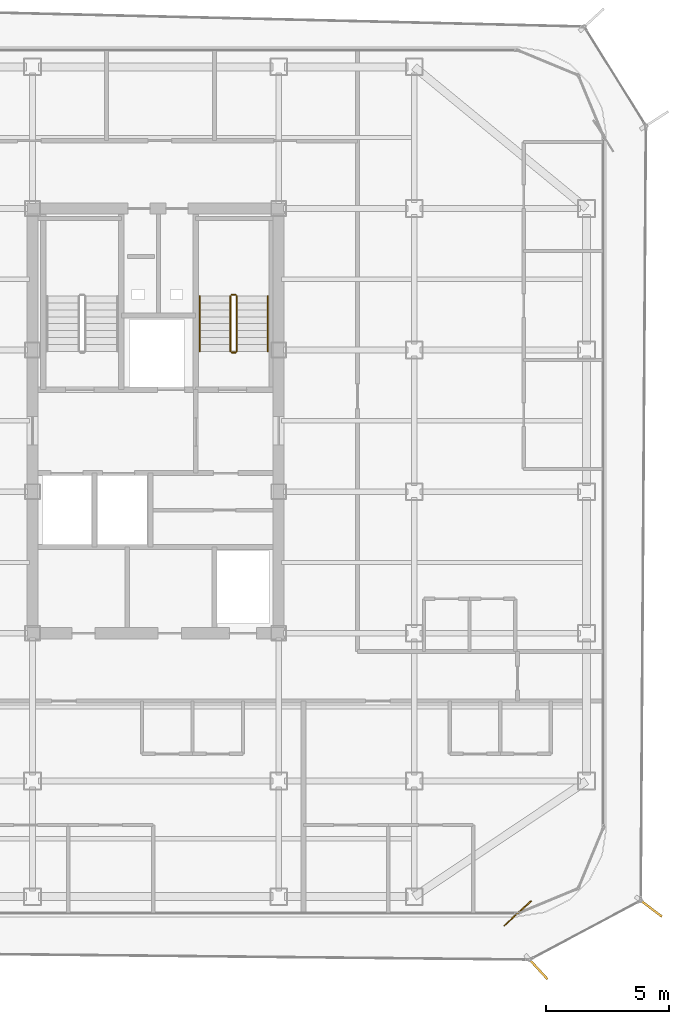
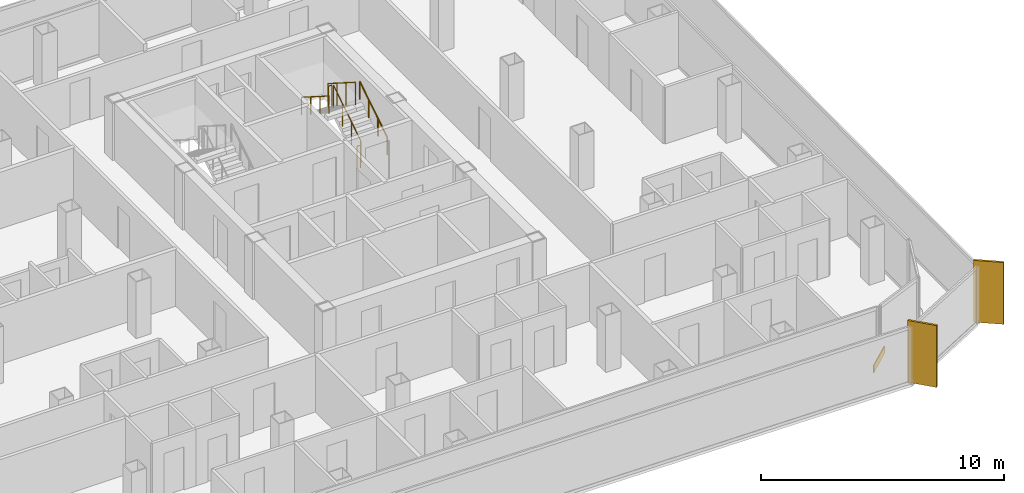
# One storey, part 15 of 16: 6 railings, 2 shading devices, 1 covering.
"""IFC4 building model written with IfcOpenShell, lengths in metres."""

from ifc_helpers import new_model, si_unit, direction, frame, origin, origin_2d, place, context, subcontext, project, spatial, rectangle, circle, extrude, source, transform, mapped, material, layer, layer_set, type_object, element, save


model = new_model("IFC4")

# Units and contexts
model_context = context("Model", 3, precision=1e-05, world=origin(), true_north=direction((0.0, 1.0)))
body_context = subcontext(model_context, "Body", "Model", "MODEL_VIEW")
ifc_project = project(units=[si_unit("LENGTHUNIT", "METRE"), si_unit("AREAUNIT", "SQUARE_METRE"), si_unit("VOLUMEUNIT", "CUBIC_METRE"), si_unit("PLANEANGLEUNIT", "RADIAN"), si_unit("MASSUNIT", "GRAM", prefix="KILO")], contexts=[model_context])

# Site, building, storey
site_placement = place(None, origin())
site = spatial("IfcSite", under=ifc_project, at=site_placement, CompositionType="ELEMENT")
building_placement = place(site_placement, origin())
building = spatial("IfcBuilding", under=site, at=building_placement, Name="Kolveth Station Tower", CompositionType="ELEMENT")
storey_placement = place(building_placement, frame((0.0, 0.0, 212.39990234375)))
storey = spatial("IfcBuildingStorey", under=building, at=storey_placement, Name="L60", CompositionType="ELEMENT", Elevation=212.39990234375)

# Railings
ifc_material_1 = material(Name="Painted Steel S355 balustrade", Category="steel")
railing_type_1 = type_object("IfcRailingType", Name="Guard_GR2", PredefinedType="BALUSTRADE", material=ifc_material_1)
railing_1_placement = place(storey_placement, frame((26.800048828125, 22.949951171875, 0.177978515625)))
element("IfcRailing", 1, at=railing_1_placement, inside=storey, type_object=railing_type_1, Name="L60 ST2 stair guard 1", PredefinedType="BALUSTRADE", context=body_context, shape_type="SweptSolid", body=[
    extrude(circle(Radius=0.02392578125, at=origin_2d()), frame((0.0, 0.0, 1.1259765625), z_axis=(0.0, 0.8442293374, 0.53598211339), x_axis=(-1.0, 0.0, 0.0)), (0.0, 0.0, 1.0), 2.6533203125),
    extrude(circle(Radius=0.02099609375, at=origin_2d()), origin(), (0.0, 0.0, 1.0), 1.101806640625),
    extrude(circle(Radius=0.02099609375, at=origin_2d()), frame((0.0, 0.74658203125, 0.47412109375)), (0.0, 0.0, 1.0), 1.101806640625),
    extrude(circle(Radius=0.02099609375, at=origin_2d()), frame((0.0, 1.493408203125, 0.947998046875)), (0.0, 0.0, 1.0), 1.101806640625),
    extrude(circle(Radius=0.02099609375, at=origin_2d()), frame((0.0, 2.239990234375, 1.422119140625)), (0.0, 0.0, 1.0), 1.101806640625),
])
railing_2_placement = place(storey_placement, frame((26.75, 25.239990234375, 1.60009765625)))
element("IfcRailing", 2, at=railing_2_placement, inside=storey, type_object=railing_type_1, Name="L60 ST2 stair guard 2", PredefinedType="BALUSTRADE", context=body_context, shape_type="SweptSolid", body=[
    extrude(circle(Radius=0.02392578125, at=origin_2d()), frame((0.0, 0.0, 1.1259765625), z_axis=(-1.0, 0.0, 0.0), x_axis=(0.0, -1.0, 0.0)), (0.0, 0.0, 1.0), 0.159912109375),
    extrude(circle(Radius=0.02099609375, at=origin_2d()), origin(), (0.0, 0.0, 1.0), 1.101806640625),
    extrude(circle(Radius=0.02099609375, at=origin_2d()), frame((-0.159912109375, 0.0, 0.0)), (0.0, 0.0, 1.0), 1.101806640625),
])
railing_3_placement = place(storey_placement, frame((26.5400390625, 25.18994140625, 1.77783203125)))
element("IfcRailing", 3, at=railing_3_placement, inside=storey, type_object=railing_type_1, Name="L60 ST2 stair guard 3", PredefinedType="BALUSTRADE", context=body_context, shape_type="SweptSolid", body=[
    extrude(circle(Radius=0.02392578125, at=origin_2d()), frame((0.0, 0.0, 1.1259765625), z_axis=(0.0, -0.84418770128, 0.536047689118), x_axis=(1.0, 0.0, 0.0)), (0.0, 0.0, 1.0), 2.6533203125),
    extrude(circle(Radius=0.02099609375, at=origin_2d()), origin(), (0.0, 0.0, 1.0), 1.101806640625),
    extrude(circle(Radius=0.02099609375, at=origin_2d()), frame((0.0, -0.74658203125, 0.47412109375)), (0.0, 0.0, 1.0), 1.101806640625),
    extrude(circle(Radius=0.02099609375, at=origin_2d()), frame((0.0, -1.493408203125, 0.9482421875)), (0.0, 0.0, 1.0), 1.101806640625),
    extrude(circle(Radius=0.02099609375, at=origin_2d()), frame((0.0, -2.239990234375, 1.42236328125)), (0.0, 0.0, 1.0), 1.101806640625),
])
railing_4_placement = place(storey_placement, frame((26.75, 22.89990234375, 0.0)))
element("IfcRailing", 4, at=railing_4_placement, inside=storey, type_object=railing_type_1, Name="L60 ST2 stair guard 4", PredefinedType="BALUSTRADE", context=body_context, shape_type="SweptSolid", body=[
    extrude(circle(Radius=0.02392578125, at=origin_2d()), frame((0.0, 0.0, 1.1259765625), z_axis=(-1.0, 0.0, 0.0), x_axis=(0.0, -1.0, 0.0)), (0.0, 0.0, 1.0), 0.159912109375),
    extrude(circle(Radius=0.02099609375, at=origin_2d()), origin(), (0.0, 0.0, 1.0), 1.101806640625),
    extrude(circle(Radius=0.02099609375, at=origin_2d()), frame((-0.159912109375, 0.0, 0.0)), (0.0, 0.0, 1.0), 1.101806640625),
])
ifc_material_2 = material(Name="Brushed stainless steel", Category="steel")
railing_type_2 = type_object("IfcRailingType", Name="Handrail_HR1", PredefinedType="HANDRAIL", material=ifc_material_2)
railing_5_placement = place(storey_placement, frame((28.050048828125, 22.949951171875, 0.177978515625)))
element("IfcRailing", 5, at=railing_5_placement, inside=storey, type_object=railing_type_2, Name="L60 ST2 stair handrail 1", PredefinedType="HANDRAIL", context=body_context, shape_type="SweptSolid", body=[
    extrude(circle(Radius=0.02392578125, at=origin_2d()), frame((0.0, 0.0, 0.8759765625), z_axis=(0.0, 0.8442293374, 0.53598211339), x_axis=(-1.0, 0.0, 0.0)), (0.0, 0.0, 1.0), 2.6533203125),
    extrude(circle(Radius=0.02099609375, at=origin_2d()), origin(), (0.0, 0.0, 1.0), 0.851806640625),
    extrude(circle(Radius=0.02099609375, at=origin_2d()), frame((0.0, 0.74658203125, 0.47412109375)), (0.0, 0.0, 1.0), 0.851806640625),
    extrude(circle(Radius=0.02099609375, at=origin_2d()), frame((0.0, 1.493408203125, 0.947998046875)), (0.0, 0.0, 1.0), 0.851806640625),
    extrude(circle(Radius=0.02099609375, at=origin_2d()), frame((0.0, 2.239990234375, 1.422119140625)), (0.0, 0.0, 1.0), 0.851806640625),
])
railing_6_placement = place(storey_placement, frame((25.2900390625, 25.18994140625, 1.77783203125)))
element("IfcRailing", 6, at=railing_6_placement, inside=storey, type_object=railing_type_2, Name="L60 ST2 stair handrail 2", PredefinedType="HANDRAIL", context=body_context, shape_type="SweptSolid", body=[
    extrude(circle(Radius=0.02392578125, at=origin_2d()), frame((0.0, 0.0, 0.8759765625), z_axis=(0.0, -0.84418770128, 0.536047689118), x_axis=(1.0, 0.0, 0.0)), (0.0, 0.0, 1.0), 2.6533203125),
    extrude(circle(Radius=0.02099609375, at=origin_2d()), origin(), (0.0, 0.0, 1.0), 0.851806640625),
    extrude(circle(Radius=0.02099609375, at=origin_2d()), frame((0.0, -0.74658203125, 0.47412109375)), (0.0, 0.0, 1.0), 0.851806640625),
    extrude(circle(Radius=0.02099609375, at=origin_2d()), frame((0.0, -1.493408203125, 0.9482421875)), (0.0, 0.0, 1.0), 0.851806640625),
    extrude(circle(Radius=0.02099609375, at=origin_2d()), frame((0.0, -2.239990234375, 1.42236328125)), (0.0, 0.0, 1.0), 0.851806640625),
])

# Shading devices
ifc_material_3 = material(Name="Black anodized aluminium 6063-T6", Category="aluminium")
shading_device_type = type_object("IfcShadingDeviceType", Name="FIN_VF1", PredefinedType="USERDEFINED", material=ifc_material_3)
shared_shape_1 = source(origin(), body_context, "Body", "SweptSolid", [
    extrude(rectangle(XDim=1.25, YDim=0.090087890625, at=origin_2d()), origin(), (0.0, 0.0, 1.0), 3.10009765625),
])
for number, where, z_axis, x_axis, name in (
    (7, (38.99609375, -2.091064453125, 0.0), (0.0, 0.0, 1.0), (0.675718876495, -0.737159412846, 0.0), "L60 Dark-Aluminium Solar Fin 1"),
    (8, (43.56396484375, 0.3701171875, 0.0), (0.0, 0.0, 1.0), (0.79526190254, -0.606266035968, 0.0), "L60 Dark-Aluminium Solar Fin 2"),
):
    element("IfcShadingDevice", number, at=place(storey_placement, frame(where, z_axis=z_axis, x_axis=x_axis)), inside=storey, type_object=shading_device_type, Name=name, ObjectType="FIN", PredefinedType="USERDEFINED", context=body_context, shape_type="MappedRepresentation", body=[
        mapped(shared_shape_1, transform((0.0, 0.0, 0.0), x_axis=(1.0, 0.0, 0.0), y_axis=(0.0, 1.0, 0.0), z_axis=(0.0, 0.0, 1.0), scale=1.0)),
    ])

# Covering
ifc_material_4 = material(Name="Charcoal anodized aluminium spandrel cladding", Category="aluminium")
ifc_layer = layer(ifc_material_4, 0.044921875)
ifc_layer_set = layer_set([ifc_layer], Name="Charcoal anodized aluminium spandrel cladding")
covering_type = type_object("IfcCoveringType", Name="Clad_CD1", PredefinedType="CLADDING", material=ifc_layer_set)
shared_shape_2 = source(origin(), body_context, "Body", "SweptSolid", [
    extrude(rectangle(XDim=1.5, YDim=0.044921875, at=origin_2d()), origin(), (0.0, 0.0, 1.0), 0.360107421875),
])
covering_placement = place(storey_placement, frame((38.199951171875, 0.1201171875, 0.0), z_axis=(0.0, 0.0, 1.0), x_axis=(0.737159412846, 0.675718876495, 0.0)))
element("IfcCovering", 9, at=covering_placement, inside=storey, type_object=covering_type, Name="L60 Spandrel Edge Cladding 1", PredefinedType="CLADDING", context=body_context, shape_type="MappedRepresentation", body=[
    mapped(shared_shape_2, transform((0.0, 0.0, 0.0), x_axis=(1.0, 0.0, 0.0), y_axis=(0.0, 1.0, 0.0), z_axis=(0.0, 0.0, 1.0), scale=1.0)),
])

save(model, "model.ifc")
